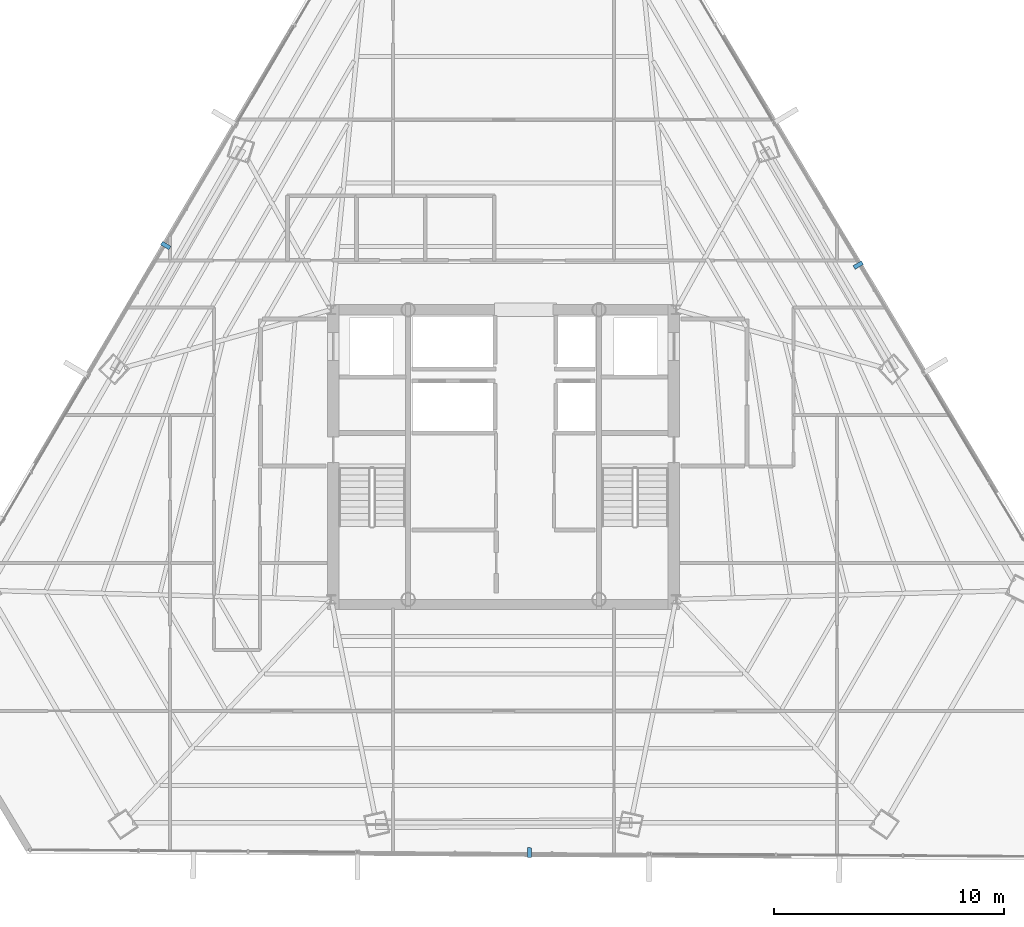
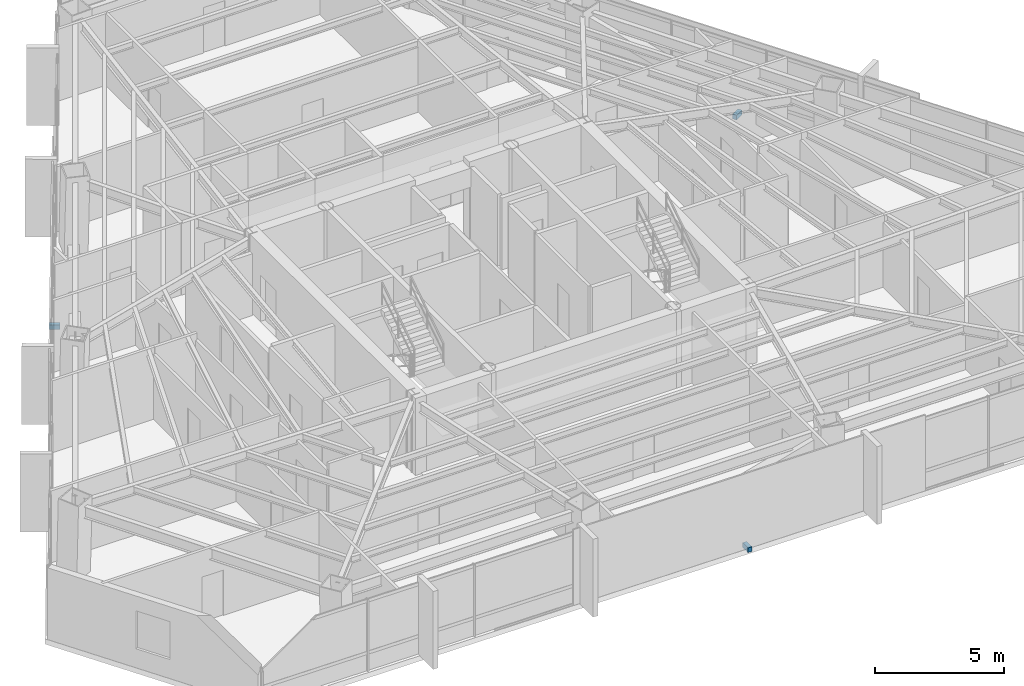
# One storey, part 38 of 41: 3 discrete accessories.
"""IFC4 building model written with IfcOpenShell, lengths in metres."""

from ifc_helpers import new_model, si_unit, direction, frame, origin, origin_2d, place, context, subcontext, project, spatial, rectangle, extrude, source, transform, mapped, material, type_object, type_shapes, element, save


model = new_model("IFC4")

# Units and contexts
model_context = context("Model", 3, precision=1e-05, world=origin(), true_north=direction((0.0, 1.0)))
body_context = subcontext(model_context, "Body", "Model", "MODEL_VIEW")
ifc_project = project(units=[si_unit("LENGTHUNIT", "METRE"), si_unit("AREAUNIT", "SQUARE_METRE"), si_unit("VOLUMEUNIT", "CUBIC_METRE"), si_unit("PLANEANGLEUNIT", "RADIAN"), si_unit("MASSUNIT", "GRAM", prefix="KILO")], contexts=[model_context])

# Site, building, storey
site_placement = place(None, origin())
site = spatial("IfcSite", under=ifc_project, at=site_placement, CompositionType="ELEMENT")
building_placement = place(site_placement, origin())
building = spatial("IfcBuilding", under=site, at=building_placement, Name="Caelisora Broadcast Tower", CompositionType="ELEMENT")
storey_placement = place(building_placement, frame((0.0, 0.0, 169.449951171875)))
storey = spatial("IfcBuildingStorey", under=building, at=storey_placement, Name="L44", CompositionType="ELEMENT", Elevation=169.449951171875)

# Discrete accessories
ifc_material = material(Name="Steel Grade 350 (AS/NZS 3679.1)", Category="steel")
discrete_accessory_type = type_object("IfcDiscreteAccessoryType", Name="BRK-1", PredefinedType="BRACKET", material=ifc_material)
shared_shape = source(origin(), body_context, "Body", "SweptSolid", [
    extrude(rectangle(XDim=0.179931640625, YDim=0.419921875, at=origin_2d()), origin(), (0.0, 0.0, 1.0), 0.219970703125),
])
type_shapes(discrete_accessory_type, [shared_shape])
for number, where, z_axis, x_axis, name in (
    (1, (23.3076171875, 32.791015625, -0.16015625), (0.0, 0.0, 1.0), (-0.507989441341, -0.861363295878, 0.0), "L44 solar screen outrigger bracket #1"),
    (2, (39.124267578125, 6.387939453125, -0.16015625), (0.0, 0.0, 1.0), (0.999978006703, -0.006632202536, 0.0), "L44 solar screen outrigger bracket #2"),
    (3, (53.425537109375, 31.94091796875, -0.16015625), (0.0, 0.0, 1.0), (-0.513691004814, 0.857975262798, 0.0), "L44 solar screen outrigger bracket #3"),
):
    element("IfcDiscreteAccessory", number, at=place(storey_placement, frame(where, z_axis=z_axis, x_axis=x_axis)), inside=storey, type_object=discrete_accessory_type, Name=name, PredefinedType="BRACKET", context=body_context, shape_type="MappedRepresentation", body=[
        mapped(shared_shape, transform((0.0, 0.0, 0.0), scale=1.0)),
    ])

save(model, "model.ifc")
